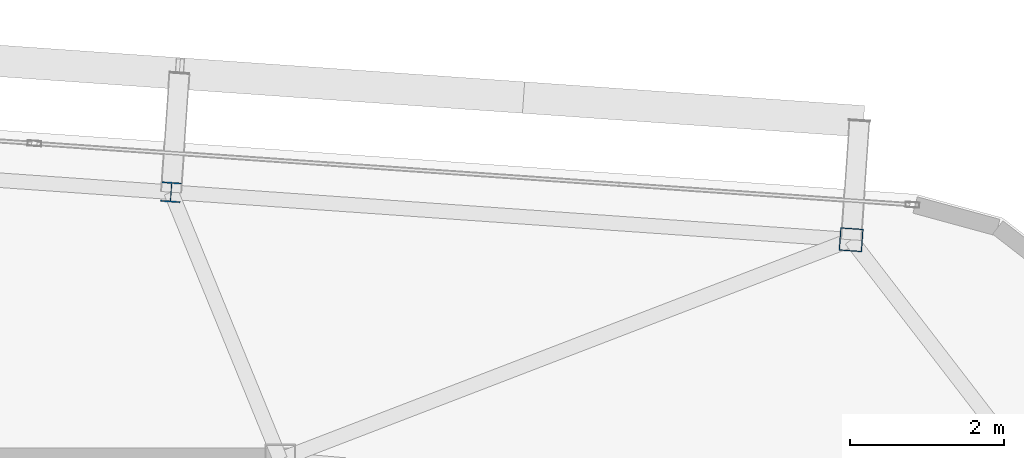
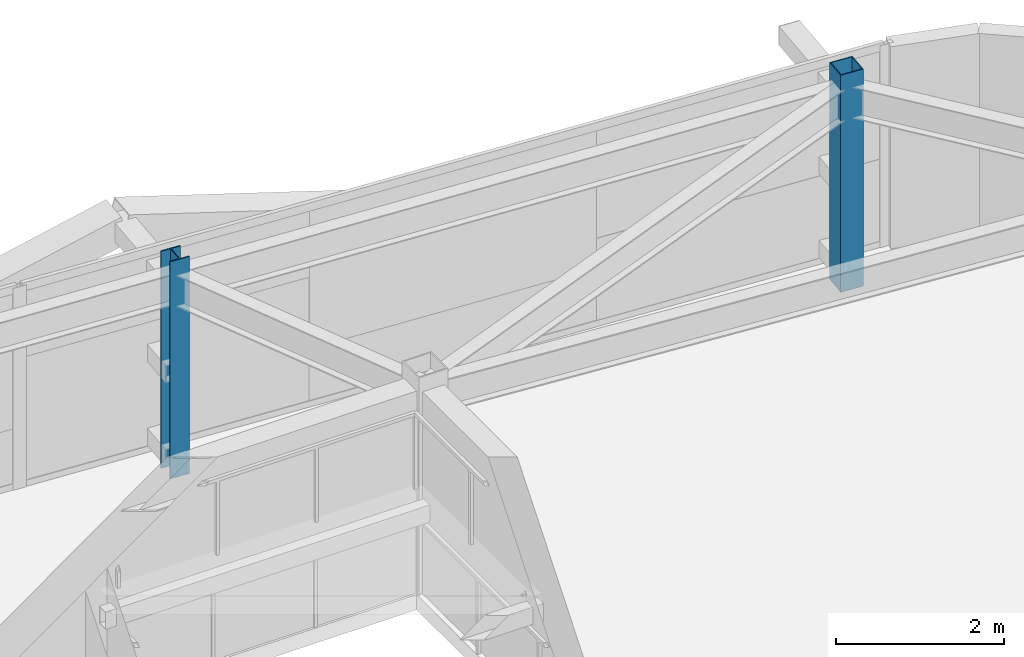
# One storey, part 5 of 39: 2 columns.
"""IFC4 building model written with IfcOpenShell, lengths in metres."""

import ifcopenshell
import ifcopenshell.guid

model = None  # the IFC model being written
_history = None  # IfcOwnerHistory: only IFC2X3 demands one
_inside = {}  # id of a spatial element -> (the spatial element, [elements in it])
_under = {}  # id of a project, library or spatial element -> (it, [spatial elements below it])
_declared = {}  # id of a project -> (the project, [libraries it declares])
_typed = {}  # id of a type object -> (the type object, [elements of that type])
_made_of = {}  # id of a material, layer set ... -> (it, [elements and type objects made of it])


def new_model(schema):
    """Start an empty IFC model of exactly this schema.

    Asked for "IFC4X3", IfcOpenShell would pick the latest addendum, in which some entities
    have other attributes; the version numbers below select the first issue.
    IFC2X3 requires an IfcOwnerHistory on every rooted entity: one is made here for all.
    """
    global model, _history
    if schema == "IFC4X3":
        model = ifcopenshell.file(schema_version=(4, 3, 0, 0))
    else:
        model = ifcopenshell.file(schema=schema)
    _inside.clear()
    _under.clear()
    _declared.clear()
    _typed.clear()
    _made_of.clear()
    _history = None
    if model.schema == "IFC2X3":
        org = make("IfcOrganization", Name="unknown")
        user = make(
            "IfcPersonAndOrganization",
            ThePerson=make("IfcPerson", FamilyName="unknown"),
            TheOrganization=org,
        )
        app = make(
            "IfcApplication",
            ApplicationDeveloper=org,
            Version="unknown",
            ApplicationFullName="unknown",
            ApplicationIdentifier="unknown",
        )
        _history = make(
            "IfcOwnerHistory",
            OwningUser=user,
            OwningApplication=app,
            ChangeAction="ADDED",
            CreationDate=0,
        )
    return model


def make(cls, **values):
    """One entity of the class cls with the attributes given. An attribute that is None is left unset."""
    return model.create_entity(
        cls, **{name: value for name, value in values.items() if value is not None}
    )


def rooted(cls, **values):
    """An entity with a GlobalId (a new one), such as an element, a storey or a relation."""
    return make(cls, GlobalId=ifcopenshell.guid.new(), OwnerHistory=_history, **values)


def si_unit(unit_type, name, prefix=None):
    """IfcSIUnit, for example si_unit("LENGTHUNIT", "METRE", prefix="MILLI")."""
    return make("IfcSIUnit", UnitType=unit_type, Prefix=prefix, Name=name)


def assignment(units):
    """IfcUnitAssignment: the units of a project."""
    return None if units is None else make("IfcUnitAssignment", Units=units)


def point(xyz):
    """IfcCartesianPoint."""
    return None if xyz is None else make("IfcCartesianPoint", Coordinates=xyz)


def direction(xyz):
    """IfcDirection."""
    return None if xyz is None else make("IfcDirection", DirectionRatios=xyz)


def frame(location, z_axis=None, x_axis=None):
    """IfcAxis2Placement3D, a coordinate frame: its origin and axes. An axis left out is left unset."""
    return make(
        "IfcAxis2Placement3D",
        Location=point(location),
        Axis=direction(z_axis),
        RefDirection=direction(x_axis),
    )


def frame_2d(location, x_axis=None):
    """IfcAxis2Placement2D, a coordinate frame in the plane: its origin and x axis."""
    return make(
        "IfcAxis2Placement2D", Location=point(location), RefDirection=direction(x_axis)
    )


def origin():
    """The frame at (0, 0, 0) with its axes left unset."""
    return frame((0.0, 0.0, 0.0))


def origin_2d():
    """The frame at (0, 0) in the plane with its x axis left unset."""
    return frame_2d((0.0, 0.0))


def place(relative_to, where):
    """IfcLocalPlacement: puts the frame where relative to a parent placement (None: the world)."""
    return make(
        "IfcLocalPlacement", PlacementRelTo=relative_to, RelativePlacement=where
    )


def context(
    kind, dimensions, precision=None, world=None, true_north=None, identifier=None
):
    """IfcGeometricRepresentationContext, for example the 3D "Model" context."""
    return make(
        "IfcGeometricRepresentationContext",
        ContextIdentifier=identifier,
        ContextType=kind,
        CoordinateSpaceDimension=dimensions,
        Precision=precision,
        WorldCoordinateSystem=world,
        TrueNorth=true_north,
    )


def subcontext(parent, identifier, kind, view, scale=None):
    """IfcGeometricRepresentationSubContext, for example "Body" below "Model"."""
    return make(
        "IfcGeometricRepresentationSubContext",
        ContextIdentifier=identifier,
        ContextType=kind,
        ParentContext=parent,
        TargetScale=scale,
        TargetView=view,
    )


def project(units=None, contexts=None):
    """IfcProject with its units and contexts."""
    return rooted(
        "IfcProject",
        Name="project",
        RepresentationContexts=contexts,
        UnitsInContext=assignment(units),
    )


def spatial(cls, under=None, at=None, **own):
    """A site, building, storey or space (cls), placed at a placement, below another one or the project."""
    s = rooted(cls, ObjectPlacement=at, **own)
    if under is not None:
        _under.setdefault(under.id(), (under, []))[1].append(s)
    return s


def profile(cls, at=None, kind="AREA", **sizes):
    """A parametric profile (cls). Its sizes go by their IFC names, for example OverallWidth=200.0."""
    return make(cls, ProfileType=kind, Position=at, **sizes)


def hollow_rectangle(**sizes):
    """IfcRectangleHollowProfileDef."""
    return profile("IfcRectangleHollowProfileDef", **sizes)


def i_section(**sizes):
    """IfcIShapeProfileDef."""
    return profile("IfcIShapeProfileDef", **sizes)


def extrude(swept, where, along, depth):
    """IfcExtrudedAreaSolid: the profile swept, set in the frame where, extruded along a direction by depth."""
    return make(
        "IfcExtrudedAreaSolid",
        SweptArea=swept,
        Position=where,
        ExtrudedDirection=direction(along),
        Depth=depth,
    )


def shape(context_of_items, identifier, shape_type, items):
    """IfcShapeRepresentation: the items that make up one representation, for example the "Body"."""
    return make(
        "IfcShapeRepresentation",
        ContextOfItems=context_of_items,
        RepresentationIdentifier=identifier,
        RepresentationType=shape_type,
        Items=items,
    )


def source(mapping_origin, context_of_items, identifier, shape_type, items):
    """IfcRepresentationMap: a shape defined once, which mapped items show again and again."""
    return make(
        "IfcRepresentationMap",
        MappingOrigin=mapping_origin,
        MappedRepresentation=shape(context_of_items, identifier, shape_type, items),
    )


def transform(
    local_origin,
    x_axis=None,
    y_axis=None,
    z_axis=None,
    scale=None,
    scale2=None,
    scale3=None,
    uniform=True,
):
    """IfcCartesianTransformationOperator3D, or its non-uniform kind. x_axis, y_axis, z_axis: its Axis1, 2, 3."""
    if uniform:
        return make(
            "IfcCartesianTransformationOperator3D",
            Axis1=direction(x_axis),
            Axis2=direction(y_axis),
            LocalOrigin=point(local_origin),
            Scale=scale,
            Axis3=direction(z_axis),
        )
    return make(
        "IfcCartesianTransformationOperator3DnonUniform",
        Axis1=direction(x_axis),
        Axis2=direction(y_axis),
        LocalOrigin=point(local_origin),
        Scale=scale,
        Axis3=direction(z_axis),
        Scale2=scale2,
        Scale3=scale3,
    )


def mapped(mapping_source, mapping_target):
    """IfcMappedItem: shows the shape of a source again, moved by a transform."""
    return make(
        "IfcMappedItem", MappingSource=mapping_source, MappingTarget=mapping_target
    )


def material(Name=None, Category=None):
    """IfcMaterial."""
    return make("IfcMaterial", Name=Name, Category=Category)


def material_profile(
    of_material, cross_section, Name=None, Category=None, Priority=None
):
    """IfcMaterialProfile: a cross section and its material."""
    return make(
        "IfcMaterialProfile",
        Name=Name,
        Material=of_material,
        Profile=cross_section,
        Priority=Priority,
        Category=Category,
    )


def profile_set(profiles, Name=None, composite=None):
    """IfcMaterialProfileSet."""
    return make(
        "IfcMaterialProfileSet",
        Name=Name,
        MaterialProfiles=profiles,
        CompositeProfile=composite,
    )


def made_of(thing, what):
    """Note that an element or type object is made of a material, layer set ...; save() writes the relation."""
    if what is not None:
        _made_of.setdefault(what.id(), (what, []))[1].append(thing)
    return thing


def type_object(cls, material=None, **own):
    """A type object (cls), such as IfcWallType, which elements share."""
    return made_of(rooted(cls, **own), material)


def element(
    cls,
    number,
    at=None,
    inside=None,
    cuts=None,
    type_object=None,
    material=None,
    context=None,
    identifier="Body",
    shape_type=None,
    held_by="IfcProductDefinitionShape",
    body=None,
    shapes=None,
    **own,
):
    """One element of the class cls, such as IfcWall. Its Tag is "e" and its number.

    at: its placement. inside: the storey or other place that contains it. cuts: it is an
    opening in that element (IfcRelVoidsElement). A single representation is given by context,
    identifier, shape_type and body (its items); several are given by shapes. held_by: the class
    of the entity that holds the representations. save() writes the other relations.
    """
    e = rooted(cls, Tag="e%d" % number, ObjectPlacement=at, **own)
    if body is not None:
        shapes = [shape(context, identifier, shape_type, body)]
    if shapes is not None:
        e.Representation = make(held_by, Representations=shapes)
    if inside is not None:
        _inside.setdefault(inside.id(), (inside, []))[1].append(e)
    if cuts is not None:
        rooted(
            "IfcRelVoidsElement", RelatingBuildingElement=cuts, RelatedOpeningElement=e
        )
    if type_object is not None:
        _typed.setdefault(type_object.id(), (type_object, []))[1].append(e)
    return made_of(e, material)


def aggregate(whole, parts):
    """IfcRelAggregates: a whole, such as a stair, and the parts it consists of."""
    return rooted("IfcRelAggregates", RelatingObject=whole, RelatedObjects=parts)


def save(model, path):
    """Write the relations noted so far, then the file.

    IfcRelAggregates (storeys below a building ...), IfcRelContainedInSpatialStructure (elements
    in a storey), IfcRelDefinesByType, IfcRelAssociatesMaterial and IfcRelDeclares: one each for
    every whole, place, type object, material and project.
    """
    for whole, parts in _under.values():
        aggregate(whole, parts)
    for where, things in _inside.values():
        rooted(
            "IfcRelContainedInSpatialStructure",
            RelatedElements=things,
            RelatingStructure=where,
        )
    for kind, things in _typed.values():
        rooted("IfcRelDefinesByType", RelatedObjects=things, RelatingType=kind)
    for what, things in _made_of.values():
        rooted("IfcRelAssociatesMaterial", RelatedObjects=things, RelatingMaterial=what)
    for by, libraries in _declared.values():
        rooted("IfcRelDeclares", RelatingContext=by, RelatedDefinitions=libraries)
    model.write(path)


model = new_model("IFC4")

# Units and contexts
model_context = context("Model", 3, precision=1e-05, world=origin(), true_north=direction((0.0, 1.0)))
body_context = subcontext(model_context, "Body", "Model", "MODEL_VIEW")
ifc_project = project(units=[si_unit("LENGTHUNIT", "METRE"), si_unit("AREAUNIT", "SQUARE_METRE"), si_unit("VOLUMEUNIT", "CUBIC_METRE"), si_unit("PLANEANGLEUNIT", "RADIAN"), si_unit("MASSUNIT", "GRAM", prefix="KILO")], contexts=[model_context])

# Site, building, storey
site_placement = place(None, origin())
site = spatial("IfcSite", under=ifc_project, at=site_placement, CompositionType="ELEMENT")
building_placement = place(site_placement, origin())
building = spatial("IfcBuilding", under=site, at=building_placement, Name="Taldren Reach Tower", CompositionType="ELEMENT")
storey_placement = place(building_placement, frame((0.0, 0.0, 155.050048828125)))
storey = spatial("IfcBuildingStorey", under=building, at=storey_placement, Name="L47", CompositionType="ELEMENT", Elevation=155.050048828125)

# Columns
ifc_material_1 = material(Name="Steel Gr 450 (C450L0)", Category="steel")
ifc_material_profile_1 = material_profile(ifc_material_1, hollow_rectangle(XDim=0.300048828125, YDim=0.300048828125, WallThickness=0.012451171875, at=origin_2d()), Name="300x300x12.5SHS")
ifc_profile_set_1 = profile_set([ifc_material_profile_1], Name="Steel Gr 450 (C450L0)")
column_type_1 = type_object("IfcColumnType", Name="COL-SHS300", PredefinedType="COLUMN", material=ifc_profile_set_1)
shared_shape_1 = source(origin(), body_context, "Body", "SweptSolid", [
    extrude(hollow_rectangle(XDim=0.300048828125, YDim=0.300048828125, WallThickness=0.012451171875, at=origin_2d()), origin(), (0.0, 0.0, 1.0), 3.14990234375),
])
column_1_placement = place(storey_placement, frame((58.4365234375, 34.861572265625, 0.0), z_axis=(0.0, 0.0, 1.0), x_axis=(0.99756405026, -0.069756473744, 0.0)))
element("IfcColumn", 1, at=column_1_placement, inside=storey, type_object=column_type_1, Name="Block B3 perimeter column N6 L47", PredefinedType="COLUMN", context=body_context, shape_type="MappedRepresentation", body=[
    mapped(shared_shape_1, transform((0.0, 0.0, 0.0), scale=1.0)),
])
ifc_material_2 = material(Name="Steel Gr 350 (350PLUS)", Category="steel")
ifc_material_profile_2 = material_profile(ifc_material_2, i_section(OverallWidth=0.256103515625, OverallDepth=0.260009765625, WebThickness=0.010498046875, FlangeThickness=0.017333984375, at=origin_2d()), Name="250UC89.5")
ifc_profile_set_2 = profile_set([ifc_material_profile_2], Name="Steel Gr 350 (350PLUS)")
column_type_2 = type_object("IfcColumnType", Name="COL-UC250", PredefinedType="COLUMN", material=ifc_profile_set_2)
shared_shape_2 = source(origin(), body_context, "Body", "SweptSolid", [
    extrude(i_section(OverallWidth=0.256103515625, OverallDepth=0.260009765625, WebThickness=0.010498046875, FlangeThickness=0.017333984375, at=origin_2d()), origin(), (0.0, 0.0, 1.0), 3.14990234375),
])
column_2_placement = place(storey_placement, frame((49.578125, 35.48095703125, 0.0), z_axis=(0.0, 0.0, 1.0), x_axis=(0.99756405026, -0.069756473744, 0.0)))
element("IfcColumn", 2, at=column_2_placement, inside=storey, type_object=column_type_2, Name="Block B3 perimeter column N5 L47", PredefinedType="COLUMN", context=body_context, shape_type="MappedRepresentation", body=[
    mapped(shared_shape_2, transform((0.0, 0.0, 0.0), scale=1.0)),
])

save(model, "model.ifc")
